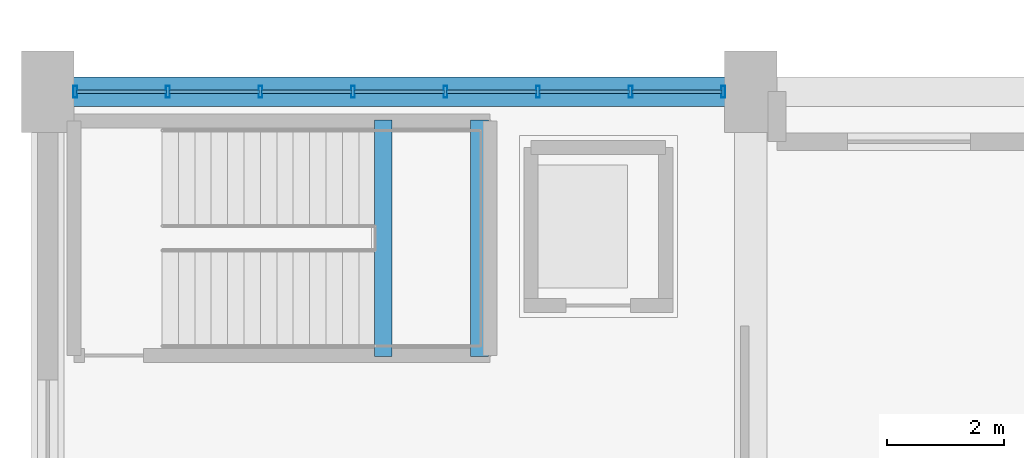
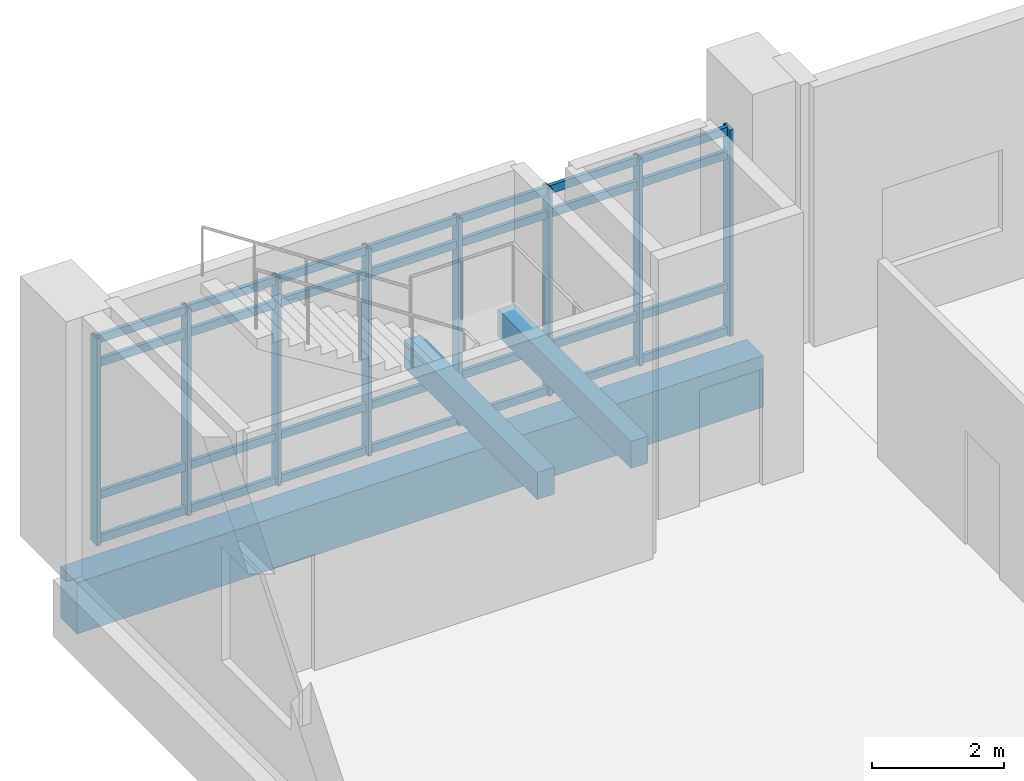
# One storey, part 14 of 87: 36 members, 3 beams, 1 element without a shape of its own.
"""IFC4 building model written with IfcOpenShell, lengths in metres."""

from ifc_helpers import new_model, si_unit, direction, frame, origin, origin_2d, place, context, subcontext, project, spatial, rectangle, hollow_rectangle, extrude, material, layer, layer_set, material_profile, profile_set, type_object, element, aggregate, save


model = new_model("IFC4")

# Units and contexts
model_context = context("Model", 3, precision=1e-05, world=origin(), true_north=direction((0.0, 1.0)))
body_context = subcontext(model_context, "Body", "Model", "MODEL_VIEW")
ifc_project = project(units=[si_unit("LENGTHUNIT", "METRE"), si_unit("AREAUNIT", "SQUARE_METRE"), si_unit("VOLUMEUNIT", "CUBIC_METRE"), si_unit("PLANEANGLEUNIT", "RADIAN"), si_unit("MASSUNIT", "GRAM", prefix="KILO")], contexts=[model_context])

# Site, building, storey
site_placement = place(None, origin())
site = spatial("IfcSite", under=ifc_project, at=site_placement, CompositionType="ELEMENT")
building_placement = place(site_placement, origin())
building = spatial("IfcBuilding", under=site, at=building_placement, Name="Mersad Railyard Sports Hall", CompositionType="ELEMENT")
storey_placement = place(building_placement, origin())
storey = spatial("IfcBuildingStorey", under=building, at=storey_placement, Name="L00", CompositionType="ELEMENT", Elevation=0.0)

# Curtain wall, members
ifc_material_1 = material(Name="Aluminium 6063-T6", Category="aluminium")
ifc_layer = layer(ifc_material_1, 0.199951171875)
ifc_layer_set = layer_set([ifc_layer], Name="Aluminium 6063-T6")
curtain_wall_type = type_object("IfcCurtainWallType", Name="ARC-CW-CW01", PredefinedType="USERDEFINED", material=ifc_layer_set)
curtain_wall_placement = place(storey_placement, origin())
curtain_wall = element("IfcCurtainWall", 1, at=curtain_wall_placement, inside=storey, type_object=curtain_wall_type, Name="Curtain wall CW01-0003", ObjectType="CURTAIN WALL", PredefinedType="USERDEFINED")
ifc_material_profile_1 = material_profile(ifc_material_1, hollow_rectangle(XDim=0.06494140625, YDim=0.199951171875, WallThickness=0.0048828125, at=origin_2d()), Name="AL MULLION 65x200x5")
ifc_profile_set_1 = profile_set([ifc_material_profile_1], Name="Aluminium 6063-T6")
member_type_1 = type_object("IfcMemberType", Name="ARC-CW-MUL02", PredefinedType="MULLION", material=ifc_profile_set_1)
member_1_placement = place(storey_placement, frame((7.469970703125, 53.5, -0.02001953125), z_axis=(0.0, 0.0, 1.0), x_axis=(1.0, 0.0, 0.0)))
member_1 = element("IfcMember", 2, at=member_1_placement, type_object=member_type_1, Name="CW01 Mullion 1", PredefinedType="MULLION", context=body_context, shape_type="SweptSolid", body=[
    extrude(hollow_rectangle(XDim=0.06494140625, YDim=0.199951171875, WallThickness=0.0048828125, at=origin_2d()), origin(), (0.0, 0.0, 1.0), 3.820068359375),
])
member_2_placement = place(storey_placement, frame((9.050048828125, 53.5, -0.02001953125), z_axis=(0.0, 0.0, 1.0), x_axis=(1.0, 0.0, 0.0)))
member_2 = element("IfcMember", 3, at=member_2_placement, type_object=member_type_1, Name="CW01 Mullion 2", PredefinedType="MULLION", context=body_context, shape_type="SweptSolid", body=[
    extrude(hollow_rectangle(XDim=0.06494140625, YDim=0.199951171875, WallThickness=0.0048828125, at=origin_2d()), origin(), (0.0, 0.0, 1.0), 3.820068359375),
])
member_3_placement = place(storey_placement, frame((10.6298828125, 53.5, -0.02001953125), z_axis=(0.0, 0.0, 1.0), x_axis=(1.0, 0.0, 0.0)))
member_3 = element("IfcMember", 4, at=member_3_placement, type_object=member_type_1, Name="CW01 Mullion 3", PredefinedType="MULLION", context=body_context, shape_type="SweptSolid", body=[
    extrude(hollow_rectangle(XDim=0.06494140625, YDim=0.199951171875, WallThickness=0.0048828125, at=origin_2d()), origin(), (0.0, 0.0, 1.0), 3.820068359375),
])
member_4_placement = place(storey_placement, frame((12.2099609375, 53.5, -0.02001953125), z_axis=(0.0, 0.0, 1.0), x_axis=(1.0, 0.0, 0.0)))
member_4 = element("IfcMember", 5, at=member_4_placement, type_object=member_type_1, Name="CW01 Mullion 4", PredefinedType="MULLION", context=body_context, shape_type="SweptSolid", body=[
    extrude(hollow_rectangle(XDim=0.06494140625, YDim=0.199951171875, WallThickness=0.0048828125, at=origin_2d()), origin(), (0.0, 0.0, 1.0), 3.820068359375),
])
member_5_placement = place(storey_placement, frame((13.7900390625, 53.5, -0.02001953125), z_axis=(0.0, 0.0, 1.0), x_axis=(1.0, 0.0, 0.0)))
member_5 = element("IfcMember", 6, at=member_5_placement, type_object=member_type_1, Name="CW01 Mullion 5", PredefinedType="MULLION", context=body_context, shape_type="SweptSolid", body=[
    extrude(hollow_rectangle(XDim=0.06494140625, YDim=0.199951171875, WallThickness=0.0048828125, at=origin_2d()), origin(), (0.0, 0.0, 1.0), 3.820068359375),
])
member_6_placement = place(storey_placement, frame((15.3701171875, 53.5, -0.02001953125), z_axis=(0.0, 0.0, 1.0), x_axis=(1.0, 0.0, 0.0)))
member_6 = element("IfcMember", 7, at=member_6_placement, type_object=member_type_1, Name="CW01 Mullion 6", PredefinedType="MULLION", context=body_context, shape_type="SweptSolid", body=[
    extrude(hollow_rectangle(XDim=0.06494140625, YDim=0.199951171875, WallThickness=0.0048828125, at=origin_2d()), origin(), (0.0, 0.0, 1.0), 3.820068359375),
])
member_7_placement = place(storey_placement, frame((16.949951171875, 53.5, -0.02001953125), z_axis=(0.0, 0.0, 1.0), x_axis=(1.0, 0.0, 0.0)))
member_7 = element("IfcMember", 8, at=member_7_placement, type_object=member_type_1, Name="CW01 Mullion 7", PredefinedType="MULLION", context=body_context, shape_type="SweptSolid", body=[
    extrude(hollow_rectangle(XDim=0.06494140625, YDim=0.199951171875, WallThickness=0.0048828125, at=origin_2d()), origin(), (0.0, 0.0, 1.0), 3.820068359375),
])
member_8_placement = place(storey_placement, frame((18.530029296875, 53.5, -0.02001953125), z_axis=(0.0, 0.0, 1.0), x_axis=(1.0, 0.0, 0.0)))
member_8 = element("IfcMember", 9, at=member_8_placement, type_object=member_type_1, Name="CW01 Mullion 8", PredefinedType="MULLION", context=body_context, shape_type="SweptSolid", body=[
    extrude(hollow_rectangle(XDim=0.06494140625, YDim=0.199951171875, WallThickness=0.0048828125, at=origin_2d()), origin(), (0.0, 0.0, 1.0), 3.820068359375),
])
ifc_material_profile_2 = material_profile(ifc_material_1, hollow_rectangle(XDim=0.06494140625, YDim=0.14990234375, WallThickness=0.00439453125, at=origin_2d()), Name="AL TRANSOM 65x150x4.5")
ifc_profile_set_2 = profile_set([ifc_material_profile_2], Name="Aluminium 6063-T6")
member_type_2 = type_object("IfcMemberType", Name="ARC-CW-TRN02", PredefinedType="USERDEFINED", material=ifc_profile_set_2)
member_9_placement = place(storey_placement, frame((7.489990234375, 53.5, 0.0400390625), z_axis=(1.0, 0.0, 0.0), x_axis=(0.0, 1.0, 0.0)))
member_9 = element("IfcMember", 10, at=member_9_placement, type_object=member_type_2, Name="CW01 Transom 1-1", ObjectType="TRANSOM", PredefinedType="USERDEFINED", context=body_context, shape_type="SweptSolid", body=[
    extrude(hollow_rectangle(XDim=0.06494140625, YDim=0.14990234375, WallThickness=0.00439453125, at=origin_2d()), origin(), (0.0, 0.0, 1.0), 1.5400390625),
])
member_10_placement = place(storey_placement, frame((9.070068359375, 53.5, 0.0400390625), z_axis=(1.0, 0.0, 0.0), x_axis=(0.0, 1.0, 0.0)))
member_10 = element("IfcMember", 11, at=member_10_placement, type_object=member_type_2, Name="CW01 Transom 1-2", ObjectType="TRANSOM", PredefinedType="USERDEFINED", context=body_context, shape_type="SweptSolid", body=[
    extrude(hollow_rectangle(XDim=0.06494140625, YDim=0.14990234375, WallThickness=0.00439453125, at=origin_2d()), origin(), (0.0, 0.0, 1.0), 1.5400390625),
])
member_11_placement = place(storey_placement, frame((10.64990234375, 53.5, 0.0400390625), z_axis=(1.0, 0.0, 0.0), x_axis=(0.0, 1.0, 0.0)))
member_11 = element("IfcMember", 12, at=member_11_placement, type_object=member_type_2, Name="CW01 Transom 1-3", ObjectType="TRANSOM", PredefinedType="USERDEFINED", context=body_context, shape_type="SweptSolid", body=[
    extrude(hollow_rectangle(XDim=0.06494140625, YDim=0.14990234375, WallThickness=0.00439453125, at=origin_2d()), origin(), (0.0, 0.0, 1.0), 1.5400390625),
])
member_12_placement = place(storey_placement, frame((12.22998046875, 53.5, 0.0400390625), z_axis=(1.0, 0.0, 0.0), x_axis=(0.0, 1.0, 0.0)))
member_12 = element("IfcMember", 13, at=member_12_placement, type_object=member_type_2, Name="CW01 Transom 1-4", ObjectType="TRANSOM", PredefinedType="USERDEFINED", context=body_context, shape_type="SweptSolid", body=[
    extrude(hollow_rectangle(XDim=0.06494140625, YDim=0.14990234375, WallThickness=0.00439453125, at=origin_2d()), origin(), (0.0, 0.0, 1.0), 1.5400390625),
])
member_13_placement = place(storey_placement, frame((13.81005859375, 53.5, 0.0400390625), z_axis=(1.0, 0.0, 0.0), x_axis=(0.0, 1.0, 0.0)))
member_13 = element("IfcMember", 14, at=member_13_placement, type_object=member_type_2, Name="CW01 Transom 1-5", ObjectType="TRANSOM", PredefinedType="USERDEFINED", context=body_context, shape_type="SweptSolid", body=[
    extrude(hollow_rectangle(XDim=0.06494140625, YDim=0.14990234375, WallThickness=0.00439453125, at=origin_2d()), origin(), (0.0, 0.0, 1.0), 1.5400390625),
])
member_14_placement = place(storey_placement, frame((15.389892578125, 53.5, 0.0400390625), z_axis=(1.0, 0.0, 0.0), x_axis=(0.0, 1.0, 0.0)))
member_14 = element("IfcMember", 15, at=member_14_placement, type_object=member_type_2, Name="CW01 Transom 1-6", ObjectType="TRANSOM", PredefinedType="USERDEFINED", context=body_context, shape_type="SweptSolid", body=[
    extrude(hollow_rectangle(XDim=0.06494140625, YDim=0.14990234375, WallThickness=0.00439453125, at=origin_2d()), origin(), (0.0, 0.0, 1.0), 1.5400390625),
])
member_15_placement = place(storey_placement, frame((16.969970703125, 53.5, 0.0400390625), z_axis=(1.0, 0.0, 0.0), x_axis=(0.0, 1.0, 0.0)))
member_15 = element("IfcMember", 16, at=member_15_placement, type_object=member_type_2, Name="CW01 Transom 1-7", ObjectType="TRANSOM", PredefinedType="USERDEFINED", context=body_context, shape_type="SweptSolid", body=[
    extrude(hollow_rectangle(XDim=0.06494140625, YDim=0.14990234375, WallThickness=0.00439453125, at=origin_2d()), origin(), (0.0, 0.0, 1.0), 1.5400390625),
])
member_16_placement = place(storey_placement, frame((7.489990234375, 53.5, 0.85009765625), z_axis=(1.0, 0.0, 0.0), x_axis=(0.0, 1.0, 0.0)))
member_16 = element("IfcMember", 17, at=member_16_placement, type_object=member_type_2, Name="CW01 Transom 2-1", ObjectType="TRANSOM", PredefinedType="USERDEFINED", context=body_context, shape_type="SweptSolid", body=[
    extrude(hollow_rectangle(XDim=0.06494140625, YDim=0.14990234375, WallThickness=0.00439453125, at=origin_2d()), origin(), (0.0, 0.0, 1.0), 1.5400390625),
])
member_17_placement = place(storey_placement, frame((9.070068359375, 53.5, 0.85009765625), z_axis=(1.0, 0.0, 0.0), x_axis=(0.0, 1.0, 0.0)))
member_17 = element("IfcMember", 18, at=member_17_placement, type_object=member_type_2, Name="CW01 Transom 2-2", ObjectType="TRANSOM", PredefinedType="USERDEFINED", context=body_context, shape_type="SweptSolid", body=[
    extrude(hollow_rectangle(XDim=0.06494140625, YDim=0.14990234375, WallThickness=0.00439453125, at=origin_2d()), origin(), (0.0, 0.0, 1.0), 1.5400390625),
])
member_18_placement = place(storey_placement, frame((10.64990234375, 53.5, 0.85009765625), z_axis=(1.0, 0.0, 0.0), x_axis=(0.0, 1.0, 0.0)))
member_18 = element("IfcMember", 19, at=member_18_placement, type_object=member_type_2, Name="CW01 Transom 2-3", ObjectType="TRANSOM", PredefinedType="USERDEFINED", context=body_context, shape_type="SweptSolid", body=[
    extrude(hollow_rectangle(XDim=0.06494140625, YDim=0.14990234375, WallThickness=0.00439453125, at=origin_2d()), origin(), (0.0, 0.0, 1.0), 1.5400390625),
])
member_19_placement = place(storey_placement, frame((12.22998046875, 53.5, 0.85009765625), z_axis=(1.0, 0.0, 0.0), x_axis=(0.0, 1.0, 0.0)))
member_19 = element("IfcMember", 20, at=member_19_placement, type_object=member_type_2, Name="CW01 Transom 2-4", ObjectType="TRANSOM", PredefinedType="USERDEFINED", context=body_context, shape_type="SweptSolid", body=[
    extrude(hollow_rectangle(XDim=0.06494140625, YDim=0.14990234375, WallThickness=0.00439453125, at=origin_2d()), origin(), (0.0, 0.0, 1.0), 1.5400390625),
])
member_20_placement = place(storey_placement, frame((13.81005859375, 53.5, 0.85009765625), z_axis=(1.0, 0.0, 0.0), x_axis=(0.0, 1.0, 0.0)))
member_20 = element("IfcMember", 21, at=member_20_placement, type_object=member_type_2, Name="CW01 Transom 2-5", ObjectType="TRANSOM", PredefinedType="USERDEFINED", context=body_context, shape_type="SweptSolid", body=[
    extrude(hollow_rectangle(XDim=0.06494140625, YDim=0.14990234375, WallThickness=0.00439453125, at=origin_2d()), origin(), (0.0, 0.0, 1.0), 1.5400390625),
])
member_21_placement = place(storey_placement, frame((15.389892578125, 53.5, 0.85009765625), z_axis=(1.0, 0.0, 0.0), x_axis=(0.0, 1.0, 0.0)))
member_21 = element("IfcMember", 22, at=member_21_placement, type_object=member_type_2, Name="CW01 Transom 2-6", ObjectType="TRANSOM", PredefinedType="USERDEFINED", context=body_context, shape_type="SweptSolid", body=[
    extrude(hollow_rectangle(XDim=0.06494140625, YDim=0.14990234375, WallThickness=0.00439453125, at=origin_2d()), origin(), (0.0, 0.0, 1.0), 1.5400390625),
])
member_22_placement = place(storey_placement, frame((16.969970703125, 53.5, 0.85009765625), z_axis=(1.0, 0.0, 0.0), x_axis=(0.0, 1.0, 0.0)))
member_22 = element("IfcMember", 23, at=member_22_placement, type_object=member_type_2, Name="CW01 Transom 2-7", ObjectType="TRANSOM", PredefinedType="USERDEFINED", context=body_context, shape_type="SweptSolid", body=[
    extrude(hollow_rectangle(XDim=0.06494140625, YDim=0.14990234375, WallThickness=0.00439453125, at=origin_2d()), origin(), (0.0, 0.0, 1.0), 1.5400390625),
])
member_23_placement = place(storey_placement, frame((7.489990234375, 53.5, 3.300048828125), z_axis=(1.0, 0.0, 0.0), x_axis=(0.0, 1.0, 0.0)))
member_23 = element("IfcMember", 24, at=member_23_placement, type_object=member_type_2, Name="CW01 Transom 3-1", ObjectType="TRANSOM", PredefinedType="USERDEFINED", context=body_context, shape_type="SweptSolid", body=[
    extrude(hollow_rectangle(XDim=0.06494140625, YDim=0.14990234375, WallThickness=0.00439453125, at=origin_2d()), origin(), (0.0, 0.0, 1.0), 1.5400390625),
])
member_24_placement = place(storey_placement, frame((9.070068359375, 53.5, 3.300048828125), z_axis=(1.0, 0.0, 0.0), x_axis=(0.0, 1.0, 0.0)))
member_24 = element("IfcMember", 25, at=member_24_placement, type_object=member_type_2, Name="CW01 Transom 3-2", ObjectType="TRANSOM", PredefinedType="USERDEFINED", context=body_context, shape_type="SweptSolid", body=[
    extrude(hollow_rectangle(XDim=0.06494140625, YDim=0.14990234375, WallThickness=0.00439453125, at=origin_2d()), origin(), (0.0, 0.0, 1.0), 1.5400390625),
])
member_25_placement = place(storey_placement, frame((10.64990234375, 53.5, 3.300048828125), z_axis=(1.0, 0.0, 0.0), x_axis=(0.0, 1.0, 0.0)))
member_25 = element("IfcMember", 26, at=member_25_placement, type_object=member_type_2, Name="CW01 Transom 3-3", ObjectType="TRANSOM", PredefinedType="USERDEFINED", context=body_context, shape_type="SweptSolid", body=[
    extrude(hollow_rectangle(XDim=0.06494140625, YDim=0.14990234375, WallThickness=0.00439453125, at=origin_2d()), origin(), (0.0, 0.0, 1.0), 1.5400390625),
])
member_26_placement = place(storey_placement, frame((12.22998046875, 53.5, 3.300048828125), z_axis=(1.0, 0.0, 0.0), x_axis=(0.0, 1.0, 0.0)))
member_26 = element("IfcMember", 27, at=member_26_placement, type_object=member_type_2, Name="CW01 Transom 3-4", ObjectType="TRANSOM", PredefinedType="USERDEFINED", context=body_context, shape_type="SweptSolid", body=[
    extrude(hollow_rectangle(XDim=0.06494140625, YDim=0.14990234375, WallThickness=0.00439453125, at=origin_2d()), origin(), (0.0, 0.0, 1.0), 1.5400390625),
])
member_27_placement = place(storey_placement, frame((13.81005859375, 53.5, 3.300048828125), z_axis=(1.0, 0.0, 0.0), x_axis=(0.0, 1.0, 0.0)))
member_27 = element("IfcMember", 28, at=member_27_placement, type_object=member_type_2, Name="CW01 Transom 3-5", ObjectType="TRANSOM", PredefinedType="USERDEFINED", context=body_context, shape_type="SweptSolid", body=[
    extrude(hollow_rectangle(XDim=0.06494140625, YDim=0.14990234375, WallThickness=0.00439453125, at=origin_2d()), origin(), (0.0, 0.0, 1.0), 1.5400390625),
])
member_28_placement = place(storey_placement, frame((15.389892578125, 53.5, 3.300048828125), z_axis=(1.0, 0.0, 0.0), x_axis=(0.0, 1.0, 0.0)))
member_28 = element("IfcMember", 29, at=member_28_placement, type_object=member_type_2, Name="CW01 Transom 3-6", ObjectType="TRANSOM", PredefinedType="USERDEFINED", context=body_context, shape_type="SweptSolid", body=[
    extrude(hollow_rectangle(XDim=0.06494140625, YDim=0.14990234375, WallThickness=0.00439453125, at=origin_2d()), origin(), (0.0, 0.0, 1.0), 1.5400390625),
])
member_29_placement = place(storey_placement, frame((16.969970703125, 53.5, 3.300048828125), z_axis=(1.0, 0.0, 0.0), x_axis=(0.0, 1.0, 0.0)))
member_29 = element("IfcMember", 30, at=member_29_placement, type_object=member_type_2, Name="CW01 Transom 3-7", ObjectType="TRANSOM", PredefinedType="USERDEFINED", context=body_context, shape_type="SweptSolid", body=[
    extrude(hollow_rectangle(XDim=0.06494140625, YDim=0.14990234375, WallThickness=0.00439453125, at=origin_2d()), origin(), (0.0, 0.0, 1.0), 1.5400390625),
])
member_30_placement = place(storey_placement, frame((7.489990234375, 53.5, 3.739990234375), z_axis=(1.0, 0.0, 0.0), x_axis=(0.0, 1.0, 0.0)))
member_30 = element("IfcMember", 31, at=member_30_placement, type_object=member_type_2, Name="CW01 Transom 4-1", ObjectType="TRANSOM", PredefinedType="USERDEFINED", context=body_context, shape_type="SweptSolid", body=[
    extrude(hollow_rectangle(XDim=0.06494140625, YDim=0.14990234375, WallThickness=0.00439453125, at=origin_2d()), origin(), (0.0, 0.0, 1.0), 1.5400390625),
])
member_31_placement = place(storey_placement, frame((9.070068359375, 53.5, 3.739990234375), z_axis=(1.0, 0.0, 0.0), x_axis=(0.0, 1.0, 0.0)))
member_31 = element("IfcMember", 32, at=member_31_placement, type_object=member_type_2, Name="CW01 Transom 4-2", ObjectType="TRANSOM", PredefinedType="USERDEFINED", context=body_context, shape_type="SweptSolid", body=[
    extrude(hollow_rectangle(XDim=0.06494140625, YDim=0.14990234375, WallThickness=0.00439453125, at=origin_2d()), origin(), (0.0, 0.0, 1.0), 1.5400390625),
])
member_32_placement = place(storey_placement, frame((10.64990234375, 53.5, 3.739990234375), z_axis=(1.0, 0.0, 0.0), x_axis=(0.0, 1.0, 0.0)))
member_32 = element("IfcMember", 33, at=member_32_placement, type_object=member_type_2, Name="CW01 Transom 4-3", ObjectType="TRANSOM", PredefinedType="USERDEFINED", context=body_context, shape_type="SweptSolid", body=[
    extrude(hollow_rectangle(XDim=0.06494140625, YDim=0.14990234375, WallThickness=0.00439453125, at=origin_2d()), origin(), (0.0, 0.0, 1.0), 1.5400390625),
])
member_33_placement = place(storey_placement, frame((12.22998046875, 53.5, 3.739990234375), z_axis=(1.0, 0.0, 0.0), x_axis=(0.0, 1.0, 0.0)))
member_33 = element("IfcMember", 34, at=member_33_placement, type_object=member_type_2, Name="CW01 Transom 4-4", ObjectType="TRANSOM", PredefinedType="USERDEFINED", context=body_context, shape_type="SweptSolid", body=[
    extrude(hollow_rectangle(XDim=0.06494140625, YDim=0.14990234375, WallThickness=0.00439453125, at=origin_2d()), origin(), (0.0, 0.0, 1.0), 1.5400390625),
])
member_34_placement = place(storey_placement, frame((13.81005859375, 53.5, 3.739990234375), z_axis=(1.0, 0.0, 0.0), x_axis=(0.0, 1.0, 0.0)))
member_34 = element("IfcMember", 35, at=member_34_placement, type_object=member_type_2, Name="CW01 Transom 4-5", ObjectType="TRANSOM", PredefinedType="USERDEFINED", context=body_context, shape_type="SweptSolid", body=[
    extrude(hollow_rectangle(XDim=0.06494140625, YDim=0.14990234375, WallThickness=0.00439453125, at=origin_2d()), origin(), (0.0, 0.0, 1.0), 1.5400390625),
])
member_35_placement = place(storey_placement, frame((15.389892578125, 53.5, 3.739990234375), z_axis=(1.0, 0.0, 0.0), x_axis=(0.0, 1.0, 0.0)))
member_35 = element("IfcMember", 36, at=member_35_placement, type_object=member_type_2, Name="CW01 Transom 4-6", ObjectType="TRANSOM", PredefinedType="USERDEFINED", context=body_context, shape_type="SweptSolid", body=[
    extrude(hollow_rectangle(XDim=0.06494140625, YDim=0.14990234375, WallThickness=0.00439453125, at=origin_2d()), origin(), (0.0, 0.0, 1.0), 1.5400390625),
])
member_36_placement = place(storey_placement, frame((16.969970703125, 53.5, 3.739990234375), z_axis=(1.0, 0.0, 0.0), x_axis=(0.0, 1.0, 0.0)))
member_36 = element("IfcMember", 37, at=member_36_placement, type_object=member_type_2, Name="CW01 Transom 4-7", ObjectType="TRANSOM", PredefinedType="USERDEFINED", context=body_context, shape_type="SweptSolid", body=[
    extrude(hollow_rectangle(XDim=0.06494140625, YDim=0.14990234375, WallThickness=0.00439453125, at=origin_2d()), origin(), (0.0, 0.0, 1.0), 1.5400390625),
])
aggregate(curtain_wall, [member_1, member_2, member_3, member_4, member_5, member_6, member_7, member_8, member_9, member_10, member_11, member_12, member_13, member_14, member_15, member_16, member_17, member_18, member_19, member_20, member_21, member_22, member_23, member_24, member_25, member_26, member_27, member_28, member_29, member_30, member_31, member_32, member_33, member_34, member_35, member_36])

# Beams
ifc_material_2 = material(Name="Concrete C50/60", Category="concrete")
ifc_material_profile_3 = material_profile(ifc_material_2, rectangle(XDim=0.5, YDim=0.949951171875, at=origin_2d()), Name="RC 500x950")
ifc_profile_set_3 = profile_set([ifc_material_profile_3], Name="Concrete C50/60")
beam_type_1 = type_object("IfcBeamType", Name="STR-BM-B03", PredefinedType="BEAM", material=ifc_profile_set_3)
beam_placement = place(storey_placement, frame((7.0, 53.5, -0.925048828125), z_axis=(1.0, 0.0, 0.0), x_axis=(0.0, 1.0, 0.0)))
element("IfcBeam", 38, at=beam_placement, inside=storey, type_object=beam_type_1, Name="Beam B03-0022", PredefinedType="BEAM", context=body_context, shape_type="SweptSolid", body=[
    extrude(rectangle(XDim=0.5, YDim=0.949951171875, at=origin_2d()), origin(), (0.0, 0.0, 1.0), 12.0),
])
ifc_material_3 = material(Name="Concrete C40/50", Category="concrete")
ifc_material_profile_4 = material_profile(ifc_material_3, rectangle(XDim=0.300048828125, YDim=0.5, at=origin_2d()), Name="RC 300x500")
ifc_profile_set_4 = profile_set([ifc_material_profile_4], Name="Concrete C40/50")
beam_type_2 = type_object("IfcBeamType", Name="STR-BM-LN01", PredefinedType="LINTEL", material=ifc_profile_set_4)
for number, where, z_axis, x_axis, name in (
    (39, (12.72998046875, 48.97998046875, 1.969970703125), (0.0, 1.0, 0.0), (-1.0, 0.0, 0.0), "Stair ST07A landing beam W"),
    (40, (14.3701171875, 48.97998046875, 1.969970703125), (0.0, 1.0, 0.0), (-1.0, 0.0, 0.0), "Stair ST07A landing beam E"),
):
    element("IfcBeam", number, at=place(storey_placement, frame(where, z_axis=z_axis, x_axis=x_axis)), inside=storey, type_object=beam_type_2, Name=name, PredefinedType="LINTEL", context=body_context, shape_type="SweptSolid", body=[
        extrude(rectangle(XDim=0.300048828125, YDim=0.5, at=origin_2d()), origin(), (0.0, 0.0, 1.0), 4.0400390625),
    ])

save(model, "model.ifc")
